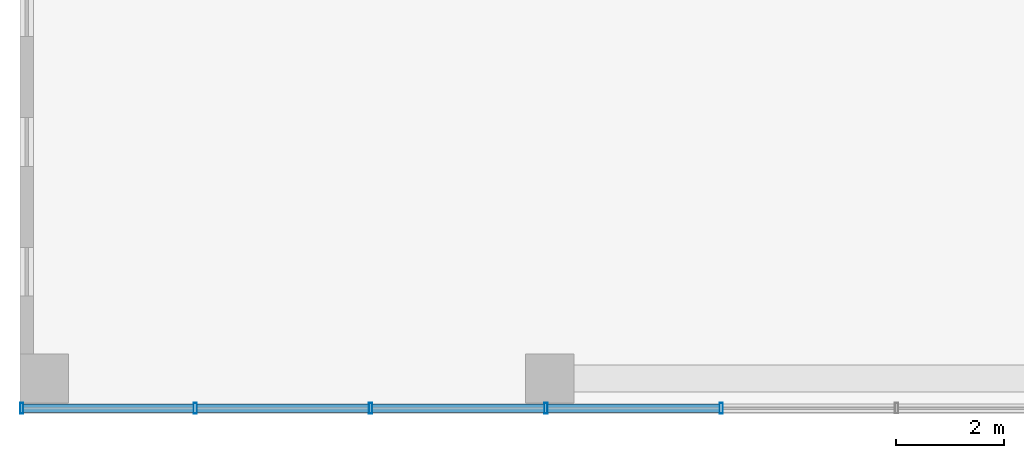
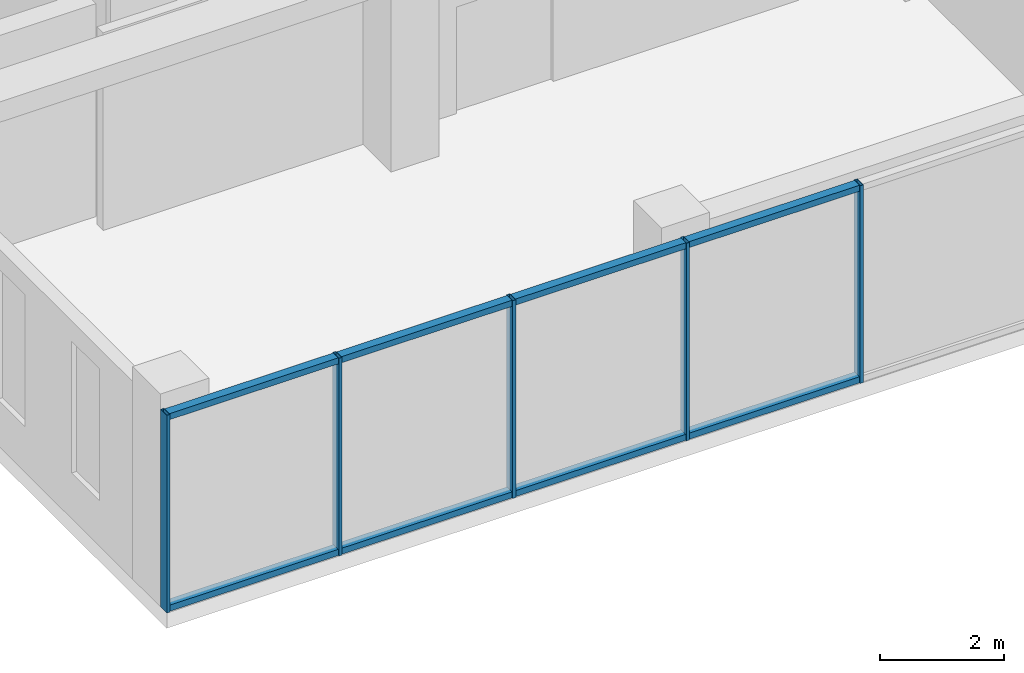
# One storey, part 2 of 37: 13 members, 1 element without a shape of its own.
"""IFC4 building model written with IfcOpenShell, lengths in metres."""

from ifc_helpers import new_model, si_unit, direction, frame, origin, origin_2d, place, context, subcontext, project, spatial, hollow_rectangle, extrude, material, layer, layer_set, material_profile, profile_set, type_object, element, aggregate, save


model = new_model("IFC4")

# Units and contexts
model_context = context("Model", 3, precision=1e-05, world=origin(), true_north=direction((0.0, 1.0)))
body_context = subcontext(model_context, "Body", "Model", "MODEL_VIEW")
ifc_project = project(units=[si_unit("LENGTHUNIT", "METRE"), si_unit("AREAUNIT", "SQUARE_METRE"), si_unit("VOLUMEUNIT", "CUBIC_METRE"), si_unit("PLANEANGLEUNIT", "RADIAN"), si_unit("MASSUNIT", "GRAM", prefix="KILO")], contexts=[model_context])

# Site, building, storey
site_placement = place(None, origin())
site = spatial("IfcSite", under=ifc_project, at=site_placement, CompositionType="ELEMENT")
building_placement = place(site_placement, origin())
building = spatial("IfcBuilding", under=site, at=building_placement, Name="Nzadi Deep Aquarium and Research Tower", CompositionType="ELEMENT")
storey_placement = place(building_placement, frame((0.0, 0.0, 57.10009765625)))
storey = spatial("IfcBuildingStorey", under=building, at=storey_placement, Name="L11", CompositionType="ELEMENT", Elevation=57.10009765625)

# Curtain wall, members
ifc_material_1 = material(Name="Aluminium unitised frame", Category="aluminium")
ifc_layer = layer(ifc_material_1, 0.199951171875)
ifc_layer_set = layer_set([ifc_layer], Name="Aluminium unitised frame")
curtain_wall_type = type_object("IfcCurtainWallType", Name="Curtain wall Unitised 200", PredefinedType="NOTDEFINED", material=ifc_layer_set)
curtain_wall_placement = place(storey_placement, origin())
curtain_wall = element("IfcCurtainWall", 1, at=curtain_wall_placement, inside=storey, type_object=curtain_wall_type, Name="Unitised curtain wall blade A south L11", PredefinedType="NOTDEFINED")
ifc_material_2 = material(Name="Aluminium unitised frame", Category="aluminium")
ifc_material_profile_1 = material_profile(ifc_material_2, hollow_rectangle(XDim=0.199951171875, YDim=0.06005859375, WallThickness=0.0048828125, at=origin_2d()))
ifc_profile_set_1 = profile_set([ifc_material_profile_1], Name="Aluminium unitised frame")
member_type_1 = type_object("IfcMemberType", Name="Mullion 60x200 Unitised", PredefinedType="MULLION", material=ifc_profile_set_1)
member_1_placement = place(storey_placement, frame((-0.16943359375, -0.10009765625, 0.0), z_axis=(0.0, 0.0, 1.0), x_axis=(0.0, 1.0, 0.0)))
member_1 = element("IfcMember", 2, at=member_1_placement, type_object=member_type_1, Name="CW043 mullion 1", PredefinedType="MULLION", context=body_context, shape_type="SweptSolid", body=[
    extrude(hollow_rectangle(XDim=0.199951171875, YDim=0.06005859375, WallThickness=0.0048828125, at=origin_2d()), origin(), (0.0, 0.0, 1.0), 3.89990234375),
])
member_2_placement = place(storey_placement, frame((3.043212890625, -0.10009765625, 0.0), z_axis=(0.0, 0.0, 1.0), x_axis=(0.0, 1.0, 0.0)))
member_2 = element("IfcMember", 3, at=member_2_placement, type_object=member_type_1, Name="CW043 mullion 2", PredefinedType="MULLION", context=body_context, shape_type="SweptSolid", body=[
    extrude(hollow_rectangle(XDim=0.199951171875, YDim=0.06005859375, WallThickness=0.0048828125, at=origin_2d()), origin(), (0.0, 0.0, 1.0), 3.89990234375),
])
member_3_placement = place(storey_placement, frame((6.28662109375, -0.10009765625, 0.0), z_axis=(0.0, 0.0, 1.0), x_axis=(0.0, 1.0, 0.0)))
member_3 = element("IfcMember", 4, at=member_3_placement, type_object=member_type_1, Name="CW043 mullion 3", PredefinedType="MULLION", context=body_context, shape_type="SweptSolid", body=[
    extrude(hollow_rectangle(XDim=0.199951171875, YDim=0.06005859375, WallThickness=0.0048828125, at=origin_2d()), origin(), (0.0, 0.0, 1.0), 3.89990234375),
])
member_4_placement = place(storey_placement, frame((9.530029296875, -0.10009765625, 0.0), z_axis=(0.0, 0.0, 1.0), x_axis=(0.0, 1.0, 0.0)))
member_4 = element("IfcMember", 5, at=member_4_placement, type_object=member_type_1, Name="CW043 mullion 4", PredefinedType="MULLION", context=body_context, shape_type="SweptSolid", body=[
    extrude(hollow_rectangle(XDim=0.199951171875, YDim=0.06005859375, WallThickness=0.0048828125, at=origin_2d()), origin(), (0.0, 0.0, 1.0), 3.89990234375),
])
member_5_placement = place(storey_placement, frame((12.7734375, -0.10009765625, 0.0), z_axis=(0.0, 0.0, 1.0), x_axis=(0.0, 1.0, 0.0)))
member_5 = element("IfcMember", 6, at=member_5_placement, type_object=member_type_1, Name="CW043 mullion 5", PredefinedType="MULLION", context=body_context, shape_type="SweptSolid", body=[
    extrude(hollow_rectangle(XDim=0.199951171875, YDim=0.06005859375, WallThickness=0.0048828125, at=origin_2d()), origin(), (0.0, 0.0, 1.0), 3.89990234375),
])
ifc_material_3 = material(Name="Aluminium unitised frame", Category="aluminium")
ifc_material_profile_2 = material_profile(ifc_material_3, hollow_rectangle(XDim=0.159912109375, YDim=0.1201171875, WallThickness=0.0048828125, at=origin_2d()))
ifc_profile_set_2 = profile_set([ifc_material_profile_2], Name="Aluminium unitised frame")
member_type_2 = type_object("IfcMemberType", Name="Transom 120x160 Unitised", PredefinedType="MULLION", material=ifc_profile_set_2)
member_6_placement = place(storey_placement, frame((-0.139892578125, -0.10009765625, 0.059814453125), z_axis=(1.0, 0.0, 0.0), x_axis=(0.0, 1.0, 0.0)))
member_6 = element("IfcMember", 7, at=member_6_placement, type_object=member_type_2, Name="CW043 transom 1.1", PredefinedType="MULLION", context=body_context, shape_type="SweptSolid", body=[
    extrude(hollow_rectangle(XDim=0.159912109375, YDim=0.1201171875, WallThickness=0.0048828125, at=origin_2d()), origin(), (0.0, 0.0, 1.0), 3.1533203125),
])
member_7_placement = place(storey_placement, frame((-0.139892578125, -0.10009765625, 3.83984375), z_axis=(1.0, 0.0, 0.0), x_axis=(0.0, 1.0, 0.0)))
member_7 = element("IfcMember", 8, at=member_7_placement, type_object=member_type_2, Name="CW043 transom 1.2", PredefinedType="MULLION", context=body_context, shape_type="SweptSolid", body=[
    extrude(hollow_rectangle(XDim=0.159912109375, YDim=0.1201171875, WallThickness=0.0048828125, at=origin_2d()), origin(), (0.0, 0.0, 1.0), 3.1533203125),
])
member_8_placement = place(storey_placement, frame((3.0732421875, -0.10009765625, 0.059814453125), z_axis=(1.0, 0.0, 0.0), x_axis=(0.0, 1.0, 0.0)))
member_8 = element("IfcMember", 9, at=member_8_placement, type_object=member_type_2, Name="CW043 transom 2.1", PredefinedType="MULLION", context=body_context, shape_type="SweptSolid", body=[
    extrude(hollow_rectangle(XDim=0.159912109375, YDim=0.1201171875, WallThickness=0.0048828125, at=origin_2d()), origin(), (0.0, 0.0, 1.0), 3.183349609375),
])
member_9_placement = place(storey_placement, frame((3.0732421875, -0.10009765625, 3.83984375), z_axis=(1.0, 0.0, 0.0), x_axis=(0.0, 1.0, 0.0)))
member_9 = element("IfcMember", 10, at=member_9_placement, type_object=member_type_2, Name="CW043 transom 2.2", PredefinedType="MULLION", context=body_context, shape_type="SweptSolid", body=[
    extrude(hollow_rectangle(XDim=0.159912109375, YDim=0.1201171875, WallThickness=0.0048828125, at=origin_2d()), origin(), (0.0, 0.0, 1.0), 3.183349609375),
])
member_10_placement = place(storey_placement, frame((6.316650390625, -0.10009765625, 0.059814453125), z_axis=(1.0, 0.0, 0.0), x_axis=(0.0, 1.0, 0.0)))
member_10 = element("IfcMember", 11, at=member_10_placement, type_object=member_type_2, Name="CW043 transom 3.1", PredefinedType="MULLION", context=body_context, shape_type="SweptSolid", body=[
    extrude(hollow_rectangle(XDim=0.159912109375, YDim=0.1201171875, WallThickness=0.0048828125, at=origin_2d()), origin(), (0.0, 0.0, 1.0), 3.183349609375),
])
member_11_placement = place(storey_placement, frame((6.316650390625, -0.10009765625, 3.83984375), z_axis=(1.0, 0.0, 0.0), x_axis=(0.0, 1.0, 0.0)))
member_11 = element("IfcMember", 12, at=member_11_placement, type_object=member_type_2, Name="CW043 transom 3.2", PredefinedType="MULLION", context=body_context, shape_type="SweptSolid", body=[
    extrude(hollow_rectangle(XDim=0.159912109375, YDim=0.1201171875, WallThickness=0.0048828125, at=origin_2d()), origin(), (0.0, 0.0, 1.0), 3.183349609375),
])
member_12_placement = place(storey_placement, frame((9.56005859375, -0.10009765625, 0.059814453125), z_axis=(1.0, 0.0, 0.0), x_axis=(0.0, 1.0, 0.0)))
member_12 = element("IfcMember", 13, at=member_12_placement, type_object=member_type_2, Name="CW043 transom 4.1", PredefinedType="MULLION", context=body_context, shape_type="SweptSolid", body=[
    extrude(hollow_rectangle(XDim=0.159912109375, YDim=0.1201171875, WallThickness=0.0048828125, at=origin_2d()), origin(), (0.0, 0.0, 1.0), 3.183349609375),
])
member_13_placement = place(storey_placement, frame((9.56005859375, -0.10009765625, 3.83984375), z_axis=(1.0, 0.0, 0.0), x_axis=(0.0, 1.0, 0.0)))
member_13 = element("IfcMember", 14, at=member_13_placement, type_object=member_type_2, Name="CW043 transom 4.2", PredefinedType="MULLION", context=body_context, shape_type="SweptSolid", body=[
    extrude(hollow_rectangle(XDim=0.159912109375, YDim=0.1201171875, WallThickness=0.0048828125, at=origin_2d()), origin(), (0.0, 0.0, 1.0), 3.183349609375),
])
aggregate(curtain_wall, [member_1, member_2, member_3, member_4, member_5, member_6, member_7, member_8, member_9, member_10, member_11, member_12, member_13])

save(model, "model.ifc")
